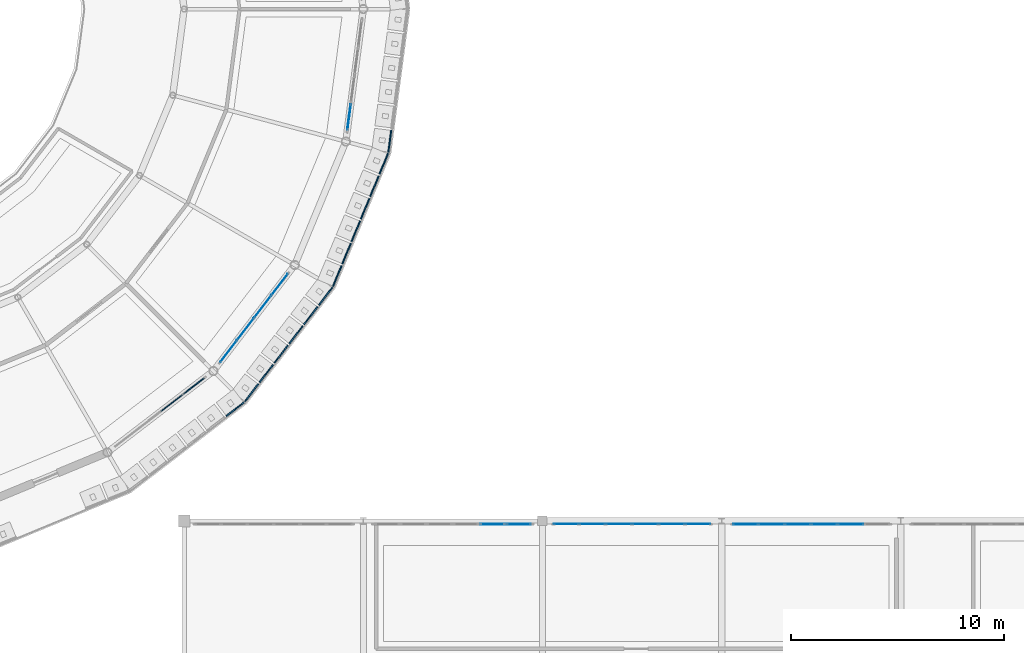
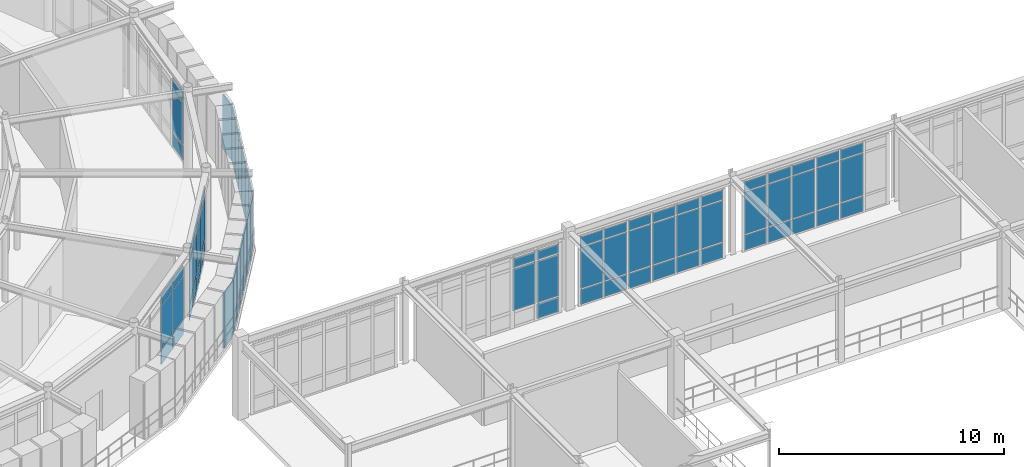
# One storey, part 70 of 106: 73 plates, 6 elements without a shape of their own.
"""IFC4 building model written with IfcOpenShell, lengths in metres."""

from ifc_helpers import new_model, si_unit, derived_unit, direction, frame, origin, origin_2d, place, context, subcontext, project, spatial, rectangle, extrude, material, layer, layer_set, type_object, element, aggregate, save


model = new_model("IFC4")

# Units and contexts
model_context = context("Model", 3, precision=1e-05, world=origin(), true_north=direction((0.0, 1.0)))
body_context = subcontext(model_context, "Body", "Model", "MODEL_VIEW")
ifc_project = project(units=[si_unit("LENGTHUNIT", "METRE"), si_unit("AREAUNIT", "SQUARE_METRE"), si_unit("VOLUMEUNIT", "CUBIC_METRE"), si_unit("PLANEANGLEUNIT", "RADIAN"), si_unit("MASSUNIT", "GRAM", prefix="KILO"), derived_unit("THERMALTRANSMITTANCEUNIT", [(si_unit("POWERUNIT", "WATT"), 1), (si_unit("AREAUNIT", "SQUARE_METRE"), -1), (si_unit("THERMODYNAMICTEMPERATUREUNIT", "KELVIN"), -1)])], contexts=[model_context])

# Site, building, storey
site_placement = place(None, origin())
site = spatial("IfcSite", under=ifc_project, at=site_placement, CompositionType="ELEMENT")
building_placement = place(site_placement, origin())
building = spatial("IfcBuilding", under=site, at=building_placement, Name="Yasenodar Specialist Clinic", CompositionType="ELEMENT")
storey_placement = place(building_placement, frame((0.0, 0.0, 4.5)))
storey = spatial("IfcBuildingStorey", under=building, at=storey_placement, Name="L01", CompositionType="ELEMENT", Elevation=4.5)

# Curtain wall, plates
ifc_material_1 = material(Name="Bronze Anodized Aluminium and Triple Low-E Glass", Category="aluminium")
ifc_layer_1 = layer(ifc_material_1, 0.1669921875)
ifc_layer_set_1 = layer_set([ifc_layer_1], Name="Bronze Anodized Aluminium and Triple Low-E Glass")
curtain_wall_type_1 = type_object("IfcCurtainWallType", Name="CW-SYS-01", PredefinedType="USERDEFINED", material=ifc_layer_set_1)
curtain_wall_1_placement = place(storey_placement, origin())
curtain_wall_1 = element("IfcCurtainWall", 1, at=curtain_wall_1_placement, inside=storey, type_object=curtain_wall_type_1, Name="L01 Unitised Curtain Wall 024", ObjectType="UNITISED CURTAIN WALL", PredefinedType="USERDEFINED")
ifc_material_2 = material(Name="Triple Low-E Argon Glazing", Category="glass")
ifc_layer_2 = layer(ifc_material_2, 0.028076171875)
ifc_layer_set_2 = layer_set([ifc_layer_2], Name="Triple Low-E Argon Glazing")
plate_type_1 = type_object("IfcPlateType", Name="CW-PAN-1", PredefinedType="CURTAIN_PANEL", material=ifc_layer_set_2)
plate_1_placement = place(storey_placement, frame((101.07958984375, 45.881103515625, 0.06005859375), z_axis=(0.0, 0.0, 1.0), x_axis=(-0.608752021844, -0.793360558574, 0.0)))
plate_1 = element("IfcPlate", 2, at=plate_1_placement, type_object=plate_type_1, Name="CW-01 panel 1.1", PredefinedType="CURTAIN_PANEL", context=body_context, shape_type="SweptSolid", body=[
    extrude(rectangle(XDim=1.236328125, YDim=0.028076171875, at=origin_2d()), origin(), (0.0, 0.0, 1.0), 0.81005859375),
])
plate_2_placement = place(storey_placement, frame((101.07958984375, 45.881103515625, 0.93017578125), z_axis=(0.0, 0.0, 1.0), x_axis=(-0.608752021844, -0.793360558574, 0.0)))
plate_2 = element("IfcPlate", 3, at=plate_2_placement, type_object=plate_type_1, Name="CW-01 panel 1.2", PredefinedType="CURTAIN_PANEL", context=body_context, shape_type="SweptSolid", body=[
    extrude(rectangle(XDim=1.236328125, YDim=0.028076171875, at=origin_2d()), origin(), (0.0, 0.0, 1.0), 2.278076171875),
])
plate_3_placement = place(storey_placement, frame((101.07958984375, 45.881103515625, 3.26806640625), z_axis=(0.0, 0.0, 1.0), x_axis=(-0.608752021844, -0.793360558574, 0.0)))
plate_3 = element("IfcPlate", 4, at=plate_3_placement, type_object=plate_type_1, Name="CW-01 panel 1.3", PredefinedType="CURTAIN_PANEL", context=body_context, shape_type="SweptSolid", body=[
    extrude(rectangle(XDim=1.236328125, YDim=0.028076171875, at=origin_2d()), origin(), (0.0, 0.0, 1.0), 0.510009765625),
])
plate_4_placement = place(storey_placement, frame((100.28125, 44.8408203125, 0.06005859375), z_axis=(0.0, 0.0, 1.0), x_axis=(-0.608752021844, -0.793360558574, 0.0)))
plate_4 = element("IfcPlate", 5, at=plate_4_placement, type_object=plate_type_1, Name="CW-01 panel 2.1", PredefinedType="CURTAIN_PANEL", context=body_context, shape_type="SweptSolid", body=[
    extrude(rectangle(XDim=1.266357421875, YDim=0.028076171875, at=origin_2d()), origin(), (0.0, 0.0, 1.0), 0.81005859375),
])
plate_5_placement = place(storey_placement, frame((100.28125, 44.8408203125, 0.93017578125), z_axis=(0.0, 0.0, 1.0), x_axis=(-0.608752021844, -0.793360558574, 0.0)))
plate_5 = element("IfcPlate", 6, at=plate_5_placement, type_object=plate_type_1, Name="CW-01 panel 2.2", PredefinedType="CURTAIN_PANEL", context=body_context, shape_type="SweptSolid", body=[
    extrude(rectangle(XDim=1.266357421875, YDim=0.028076171875, at=origin_2d()), origin(), (0.0, 0.0, 1.0), 2.278076171875),
])
plate_6_placement = place(storey_placement, frame((100.28125, 44.8408203125, 3.26806640625), z_axis=(0.0, 0.0, 1.0), x_axis=(-0.608752021844, -0.793360558574, 0.0)))
plate_6 = element("IfcPlate", 7, at=plate_6_placement, type_object=plate_type_1, Name="CW-01 panel 2.3", PredefinedType="CURTAIN_PANEL", context=body_context, shape_type="SweptSolid", body=[
    extrude(rectangle(XDim=1.266357421875, YDim=0.028076171875, at=origin_2d()), origin(), (0.0, 0.0, 1.0), 0.510009765625),
])
plate_7_placement = place(storey_placement, frame((99.473876953125, 43.78857421875, 0.06005859375), z_axis=(0.0, 0.0, 1.0), x_axis=(-0.608752021844, -0.793360558574, 0.0)))
plate_7 = element("IfcPlate", 8, at=plate_7_placement, type_object=plate_type_1, Name="CW-01 panel 3.1", PredefinedType="CURTAIN_PANEL", context=body_context, shape_type="SweptSolid", body=[
    extrude(rectangle(XDim=1.266357421875, YDim=0.028076171875, at=origin_2d()), origin(), (0.0, 0.0, 1.0), 0.81005859375),
])
plate_8_placement = place(storey_placement, frame((99.473876953125, 43.78857421875, 0.93017578125), z_axis=(0.0, 0.0, 1.0), x_axis=(-0.608752021844, -0.793360558574, 0.0)))
plate_8 = element("IfcPlate", 9, at=plate_8_placement, type_object=plate_type_1, Name="CW-01 panel 3.2", PredefinedType="CURTAIN_PANEL", context=body_context, shape_type="SweptSolid", body=[
    extrude(rectangle(XDim=1.266357421875, YDim=0.028076171875, at=origin_2d()), origin(), (0.0, 0.0, 1.0), 2.278076171875),
])
plate_9_placement = place(storey_placement, frame((99.473876953125, 43.78857421875, 3.26806640625), z_axis=(0.0, 0.0, 1.0), x_axis=(-0.608752021844, -0.793360558574, 0.0)))
plate_9 = element("IfcPlate", 10, at=plate_9_placement, type_object=plate_type_1, Name="CW-01 panel 3.3", PredefinedType="CURTAIN_PANEL", context=body_context, shape_type="SweptSolid", body=[
    extrude(rectangle(XDim=1.266357421875, YDim=0.028076171875, at=origin_2d()), origin(), (0.0, 0.0, 1.0), 0.510009765625),
])
plate_10_placement = place(storey_placement, frame((98.675537109375, 42.748291015625, 0.06005859375), z_axis=(0.0, 0.0, 1.0), x_axis=(-0.608752021844, -0.793360558574, 0.0)))
plate_10 = element("IfcPlate", 11, at=plate_10_placement, type_object=plate_type_1, Name="CW-01 panel 4.1", PredefinedType="CURTAIN_PANEL", context=body_context, shape_type="SweptSolid", body=[
    extrude(rectangle(XDim=1.236328125, YDim=0.028076171875, at=origin_2d()), origin(), (0.0, 0.0, 1.0), 0.81005859375),
])
plate_11_placement = place(storey_placement, frame((98.675537109375, 42.748291015625, 0.93017578125), z_axis=(0.0, 0.0, 1.0), x_axis=(-0.608752021844, -0.793360558574, 0.0)))
plate_11 = element("IfcPlate", 12, at=plate_11_placement, type_object=plate_type_1, Name="CW-01 panel 4.2", PredefinedType="CURTAIN_PANEL", context=body_context, shape_type="SweptSolid", body=[
    extrude(rectangle(XDim=1.236328125, YDim=0.028076171875, at=origin_2d()), origin(), (0.0, 0.0, 1.0), 2.278076171875),
])
plate_12_placement = place(storey_placement, frame((98.675537109375, 42.748291015625, 3.26806640625), z_axis=(0.0, 0.0, 1.0), x_axis=(-0.608752021844, -0.793360558574, 0.0)))
plate_12 = element("IfcPlate", 13, at=plate_12_placement, type_object=plate_type_1, Name="CW-01 panel 4.3", PredefinedType="CURTAIN_PANEL", context=body_context, shape_type="SweptSolid", body=[
    extrude(rectangle(XDim=1.236328125, YDim=0.028076171875, at=origin_2d()), origin(), (0.0, 0.0, 1.0), 0.510009765625),
])
aggregate(curtain_wall_1, [plate_1, plate_2, plate_3, plate_4, plate_5, plate_6, plate_7, plate_8, plate_9, plate_10, plate_11, plate_12])

ifc_layer_3 = layer(ifc_material_1, 0.178955078125)
ifc_layer_set_3 = layer_set([ifc_layer_3], Name="Bronze Anodized Aluminium and Triple Low-E Glass")
curtain_wall_type_2 = type_object("IfcCurtainWallType", Name="CW-SYS-02", PredefinedType="USERDEFINED", material=ifc_layer_set_3)
curtain_wall_2_placement = place(storey_placement, origin())
curtain_wall_2 = element("IfcCurtainWall", 14, at=curtain_wall_2_placement, inside=storey, type_object=curtain_wall_type_2, Name="L01 Unitised Curtain Wall 096", ObjectType="UNITISED CURTAIN WALL", PredefinedType="USERDEFINED")
plate_13_placement = place(storey_placement, frame((114.514892578125, 34.64990234375, 0.06005859375), z_axis=(0.0, 0.0, 1.0), x_axis=(1.0, 0.0, 0.0)))
plate_13 = element("IfcPlate", 15, at=plate_13_placement, type_object=plate_type_1, Name="CW-02 panel 1.1", PredefinedType="CURTAIN_PANEL", context=body_context, shape_type="SweptSolid", body=[
    extrude(rectangle(XDim=1.14990234375, YDim=0.028076171875, at=origin_2d()), origin(), (0.0, 0.0, 1.0), 0.81005859375),
])
plate_14_placement = place(storey_placement, frame((114.514892578125, 34.64990234375, 0.929931640625), z_axis=(0.0, 0.0, 1.0), x_axis=(1.0, 0.0, 0.0)))
plate_14 = element("IfcPlate", 16, at=plate_14_placement, type_object=plate_type_1, Name="CW-02 panel 1.2", PredefinedType="CURTAIN_PANEL", context=body_context, shape_type="SweptSolid", body=[
    extrude(rectangle(XDim=1.14990234375, YDim=0.028076171875, at=origin_2d()), origin(), (0.0, 0.0, 1.0), 2.22802734375),
])
plate_15_placement = place(storey_placement, frame((114.514892578125, 34.64990234375, 3.2177734375), z_axis=(0.0, 0.0, 1.0), x_axis=(1.0, 0.0, 0.0)))
plate_15 = element("IfcPlate", 17, at=plate_15_placement, type_object=plate_type_1, Name="CW-02 panel 1.3", PredefinedType="CURTAIN_PANEL", context=body_context, shape_type="SweptSolid", body=[
    extrude(rectangle(XDim=1.14990234375, YDim=0.028076171875, at=origin_2d()), origin(), (0.0, 0.0, 1.0), 0.510009765625),
])
plate_16_placement = place(storey_placement, frame((115.739990234375, 34.64990234375, 0.06005859375), z_axis=(0.0, 0.0, 1.0), x_axis=(1.0, 0.0, 0.0)))
plate_16 = element("IfcPlate", 18, at=plate_16_placement, type_object=plate_type_1, Name="CW-02 panel 2.1", PredefinedType="CURTAIN_PANEL", context=body_context, shape_type="SweptSolid", body=[
    extrude(rectangle(XDim=1.179931640625, YDim=0.028076171875, at=origin_2d()), origin(), (0.0, 0.0, 1.0), 0.81005859375),
])
plate_17_placement = place(storey_placement, frame((115.739990234375, 34.64990234375, 0.929931640625), z_axis=(0.0, 0.0, 1.0), x_axis=(1.0, 0.0, 0.0)))
plate_17 = element("IfcPlate", 19, at=plate_17_placement, type_object=plate_type_1, Name="CW-02 panel 2.2", PredefinedType="CURTAIN_PANEL", context=body_context, shape_type="SweptSolid", body=[
    extrude(rectangle(XDim=1.179931640625, YDim=0.028076171875, at=origin_2d()), origin(), (0.0, 0.0, 1.0), 2.22802734375),
])
plate_18_placement = place(storey_placement, frame((115.739990234375, 34.64990234375, 3.2177734375), z_axis=(0.0, 0.0, 1.0), x_axis=(1.0, 0.0, 0.0)))
plate_18 = element("IfcPlate", 20, at=plate_18_placement, type_object=plate_type_1, Name="CW-02 panel 2.3", PredefinedType="CURTAIN_PANEL", context=body_context, shape_type="SweptSolid", body=[
    extrude(rectangle(XDim=1.179931640625, YDim=0.028076171875, at=origin_2d()), origin(), (0.0, 0.0, 1.0), 0.510009765625),
])
plate_19_placement = place(storey_placement, frame((116.97998046875, 34.64990234375, 0.06005859375), z_axis=(0.0, 0.0, 1.0), x_axis=(1.0, 0.0, 0.0)))
plate_19 = element("IfcPlate", 21, at=plate_19_placement, type_object=plate_type_1, Name="CW-02 panel 3.1", PredefinedType="CURTAIN_PANEL", context=body_context, shape_type="SweptSolid", body=[
    extrude(rectangle(XDim=1.179931640625, YDim=0.028076171875, at=origin_2d()), origin(), (0.0, 0.0, 1.0), 0.81005859375),
])
plate_20_placement = place(storey_placement, frame((116.97998046875, 34.64990234375, 0.929931640625), z_axis=(0.0, 0.0, 1.0), x_axis=(1.0, 0.0, 0.0)))
plate_20 = element("IfcPlate", 22, at=plate_20_placement, type_object=plate_type_1, Name="CW-02 panel 3.2", PredefinedType="CURTAIN_PANEL", context=body_context, shape_type="SweptSolid", body=[
    extrude(rectangle(XDim=1.179931640625, YDim=0.028076171875, at=origin_2d()), origin(), (0.0, 0.0, 1.0), 2.22802734375),
])
plate_21_placement = place(storey_placement, frame((116.97998046875, 34.64990234375, 3.2177734375), z_axis=(0.0, 0.0, 1.0), x_axis=(1.0, 0.0, 0.0)))
plate_21 = element("IfcPlate", 23, at=plate_21_placement, type_object=plate_type_1, Name="CW-02 panel 3.3", PredefinedType="CURTAIN_PANEL", context=body_context, shape_type="SweptSolid", body=[
    extrude(rectangle(XDim=1.179931640625, YDim=0.028076171875, at=origin_2d()), origin(), (0.0, 0.0, 1.0), 0.510009765625),
])
plate_22_placement = place(storey_placement, frame((118.219970703125, 34.64990234375, 0.06005859375), z_axis=(0.0, 0.0, 1.0), x_axis=(1.0, 0.0, 0.0)))
plate_22 = element("IfcPlate", 24, at=plate_22_placement, type_object=plate_type_1, Name="CW-02 panel 4.1", PredefinedType="CURTAIN_PANEL", context=body_context, shape_type="SweptSolid", body=[
    extrude(rectangle(XDim=1.179931640625, YDim=0.028076171875, at=origin_2d()), origin(), (0.0, 0.0, 1.0), 0.81005859375),
])
plate_23_placement = place(storey_placement, frame((118.219970703125, 34.64990234375, 0.929931640625), z_axis=(0.0, 0.0, 1.0), x_axis=(1.0, 0.0, 0.0)))
plate_23 = element("IfcPlate", 25, at=plate_23_placement, type_object=plate_type_1, Name="CW-02 panel 4.2", PredefinedType="CURTAIN_PANEL", context=body_context, shape_type="SweptSolid", body=[
    extrude(rectangle(XDim=1.179931640625, YDim=0.028076171875, at=origin_2d()), origin(), (0.0, 0.0, 1.0), 2.22802734375),
])
plate_24_placement = place(storey_placement, frame((118.219970703125, 34.64990234375, 3.2177734375), z_axis=(0.0, 0.0, 1.0), x_axis=(1.0, 0.0, 0.0)))
plate_24 = element("IfcPlate", 26, at=plate_24_placement, type_object=plate_type_1, Name="CW-02 panel 4.3", PredefinedType="CURTAIN_PANEL", context=body_context, shape_type="SweptSolid", body=[
    extrude(rectangle(XDim=1.179931640625, YDim=0.028076171875, at=origin_2d()), origin(), (0.0, 0.0, 1.0), 0.510009765625),
])
plate_25_placement = place(storey_placement, frame((119.4599609375, 34.64990234375, 0.06005859375), z_axis=(0.0, 0.0, 1.0), x_axis=(1.0, 0.0, 0.0)))
plate_25 = element("IfcPlate", 27, at=plate_25_placement, type_object=plate_type_1, Name="CW-02 panel 5.1", PredefinedType="CURTAIN_PANEL", context=body_context, shape_type="SweptSolid", body=[
    extrude(rectangle(XDim=1.179931640625, YDim=0.028076171875, at=origin_2d()), origin(), (0.0, 0.0, 1.0), 0.81005859375),
])
plate_26_placement = place(storey_placement, frame((119.4599609375, 34.64990234375, 0.929931640625), z_axis=(0.0, 0.0, 1.0), x_axis=(1.0, 0.0, 0.0)))
plate_26 = element("IfcPlate", 28, at=plate_26_placement, type_object=plate_type_1, Name="CW-02 panel 5.2", PredefinedType="CURTAIN_PANEL", context=body_context, shape_type="SweptSolid", body=[
    extrude(rectangle(XDim=1.179931640625, YDim=0.028076171875, at=origin_2d()), origin(), (0.0, 0.0, 1.0), 2.22802734375),
])
plate_27_placement = place(storey_placement, frame((119.4599609375, 34.64990234375, 3.2177734375), z_axis=(0.0, 0.0, 1.0), x_axis=(1.0, 0.0, 0.0)))
plate_27 = element("IfcPlate", 29, at=plate_27_placement, type_object=plate_type_1, Name="CW-02 panel 5.3", PredefinedType="CURTAIN_PANEL", context=body_context, shape_type="SweptSolid", body=[
    extrude(rectangle(XDim=1.179931640625, YDim=0.028076171875, at=origin_2d()), origin(), (0.0, 0.0, 1.0), 0.510009765625),
])
plate_28_placement = place(storey_placement, frame((120.68505859375, 34.64990234375, 0.06005859375), z_axis=(0.0, 0.0, 1.0), x_axis=(1.0, 0.0, 0.0)))
plate_28 = element("IfcPlate", 30, at=plate_28_placement, type_object=plate_type_1, Name="CW-02 panel 6.1", PredefinedType="CURTAIN_PANEL", context=body_context, shape_type="SweptSolid", body=[
    extrude(rectangle(XDim=1.14990234375, YDim=0.028076171875, at=origin_2d()), origin(), (0.0, 0.0, 1.0), 0.81005859375),
])
plate_29_placement = place(storey_placement, frame((120.68505859375, 34.64990234375, 0.929931640625), z_axis=(0.0, 0.0, 1.0), x_axis=(1.0, 0.0, 0.0)))
plate_29 = element("IfcPlate", 31, at=plate_29_placement, type_object=plate_type_1, Name="CW-02 panel 6.2", PredefinedType="CURTAIN_PANEL", context=body_context, shape_type="SweptSolid", body=[
    extrude(rectangle(XDim=1.14990234375, YDim=0.028076171875, at=origin_2d()), origin(), (0.0, 0.0, 1.0), 2.22802734375),
])
plate_30_placement = place(storey_placement, frame((120.68505859375, 34.64990234375, 3.2177734375), z_axis=(0.0, 0.0, 1.0), x_axis=(1.0, 0.0, 0.0)))
plate_30 = element("IfcPlate", 32, at=plate_30_placement, type_object=plate_type_1, Name="CW-02 panel 6.3", PredefinedType="CURTAIN_PANEL", context=body_context, shape_type="SweptSolid", body=[
    extrude(rectangle(XDim=1.14990234375, YDim=0.028076171875, at=origin_2d()), origin(), (0.0, 0.0, 1.0), 0.510009765625),
])
aggregate(curtain_wall_2, [plate_13, plate_14, plate_15, plate_16, plate_17, plate_18, plate_19, plate_20, plate_21, plate_22, plate_23, plate_24, plate_25, plate_26, plate_27, plate_28, plate_29, plate_30])

curtain_wall_3_placement = place(storey_placement, origin())
curtain_wall_3 = element("IfcCurtainWall", 33, at=curtain_wall_3_placement, inside=storey, type_object=curtain_wall_type_1, Name="L01 Unitised Curtain Wall 025", ObjectType="UNITISED CURTAIN WALL", PredefinedType="USERDEFINED")
ifc_layer_4 = layer(ifc_material_2, 0.033935546875)
ifc_layer_set_4 = layer_set([ifc_layer_4], Name="Triple Low-E Argon Glazing")
plate_type_2 = type_object("IfcPlateType", Name="CW-PAN-2", PredefinedType="CURTAIN_PANEL", material=ifc_layer_set_4)
plate_31_placement = place(storey_placement, frame((104.333984375, 53.740234375, 0.074951171875), z_axis=(0.0, 0.0, 1.0), x_axis=(-0.13051156024, -0.991446787601, 0.0)))
plate_31 = element("IfcPlate", 34, at=plate_31_placement, type_object=plate_type_2, Name="CW-01 panel 4.1", PredefinedType="CURTAIN_PANEL", context=body_context, shape_type="SweptSolid", body=[
    extrude(rectangle(XDim=1.2138671875, YDim=0.033935546875, at=origin_2d()), origin(), (0.0, 0.0, 1.0), 0.78759765625),
])
plate_32_placement = place(storey_placement, frame((104.333984375, 53.740234375, 0.9375), z_axis=(0.0, 0.0, 1.0), x_axis=(-0.13051156024, -0.991446787601, 0.0)))
plate_32 = element("IfcPlate", 35, at=plate_32_placement, type_object=plate_type_2, Name="CW-01 panel 4.2", PredefinedType="CURTAIN_PANEL", context=body_context, shape_type="SweptSolid", body=[
    extrude(rectangle(XDim=1.2138671875, YDim=0.033935546875, at=origin_2d()), origin(), (0.0, 0.0, 1.0), 2.262939453125),
])
plate_33_placement = place(storey_placement, frame((104.333984375, 53.740234375, 3.275390625), z_axis=(0.0, 0.0, 1.0), x_axis=(-0.13051156024, -0.991446787601, 0.0)))
plate_33 = element("IfcPlate", 36, at=plate_33_placement, type_object=plate_type_2, Name="CW-01 panel 4.3", PredefinedType="CURTAIN_PANEL", context=body_context, shape_type="SweptSolid", body=[
    extrude(rectangle(XDim=1.2138671875, YDim=0.033935546875, at=origin_2d()), origin(), (0.0, 0.0, 1.0), 0.487548828125),
])
aggregate(curtain_wall_3, [plate_31, plate_32, plate_33])

curtain_wall_4_placement = place(storey_placement, origin())
curtain_wall_4 = element("IfcCurtainWall", 37, at=curtain_wall_4_placement, inside=storey, type_object=curtain_wall_type_2, Name="L01 Unitised Curtain Wall 097", ObjectType="UNITISED CURTAIN WALL", PredefinedType="USERDEFINED")
plate_34_placement = place(storey_placement, frame((122.9150390625, 34.64990234375, 0.06005859375), z_axis=(0.0, 0.0, 1.0), x_axis=(1.0, 0.0, 0.0)))
plate_34 = element("IfcPlate", 38, at=plate_34_placement, type_object=plate_type_2, Name="CW-02 panel 1.1", PredefinedType="CURTAIN_PANEL", context=body_context, shape_type="SweptSolid", body=[
    extrude(rectangle(XDim=1.14990234375, YDim=0.033935546875, at=origin_2d()), origin(), (0.0, 0.0, 1.0), 0.81005859375),
])
plate_35_placement = place(storey_placement, frame((122.9150390625, 34.64990234375, 0.93017578125), z_axis=(0.0, 0.0, 1.0), x_axis=(1.0, 0.0, 0.0)))
plate_35 = element("IfcPlate", 39, at=plate_35_placement, type_object=plate_type_2, Name="CW-02 panel 1.2", PredefinedType="CURTAIN_PANEL", context=body_context, shape_type="SweptSolid", body=[
    extrude(rectangle(XDim=1.14990234375, YDim=0.033935546875, at=origin_2d()), origin(), (0.0, 0.0, 1.0), 2.278076171875),
])
plate_36_placement = place(storey_placement, frame((122.9150390625, 34.64990234375, 3.26806640625), z_axis=(0.0, 0.0, 1.0), x_axis=(1.0, 0.0, 0.0)))
plate_36 = element("IfcPlate", 40, at=plate_36_placement, type_object=plate_type_2, Name="CW-02 panel 1.3", PredefinedType="CURTAIN_PANEL", context=body_context, shape_type="SweptSolid", body=[
    extrude(rectangle(XDim=1.14990234375, YDim=0.033935546875, at=origin_2d()), origin(), (0.0, 0.0, 1.0), 0.510009765625),
])
plate_37_placement = place(storey_placement, frame((124.139892578125, 34.64990234375, 0.06005859375), z_axis=(0.0, 0.0, 1.0), x_axis=(1.0, 0.0, 0.0)))
plate_37 = element("IfcPlate", 41, at=plate_37_placement, type_object=plate_type_2, Name="CW-02 panel 2.1", PredefinedType="CURTAIN_PANEL", context=body_context, shape_type="SweptSolid", body=[
    extrude(rectangle(XDim=1.179931640625, YDim=0.033935546875, at=origin_2d()), origin(), (0.0, 0.0, 1.0), 0.81005859375),
])
plate_38_placement = place(storey_placement, frame((124.139892578125, 34.64990234375, 0.93017578125), z_axis=(0.0, 0.0, 1.0), x_axis=(1.0, 0.0, 0.0)))
plate_38 = element("IfcPlate", 42, at=plate_38_placement, type_object=plate_type_2, Name="CW-02 panel 2.2", PredefinedType="CURTAIN_PANEL", context=body_context, shape_type="SweptSolid", body=[
    extrude(rectangle(XDim=1.179931640625, YDim=0.033935546875, at=origin_2d()), origin(), (0.0, 0.0, 1.0), 2.278076171875),
])
plate_39_placement = place(storey_placement, frame((124.139892578125, 34.64990234375, 3.26806640625), z_axis=(0.0, 0.0, 1.0), x_axis=(1.0, 0.0, 0.0)))
plate_39 = element("IfcPlate", 43, at=plate_39_placement, type_object=plate_type_2, Name="CW-02 panel 2.3", PredefinedType="CURTAIN_PANEL", context=body_context, shape_type="SweptSolid", body=[
    extrude(rectangle(XDim=1.179931640625, YDim=0.033935546875, at=origin_2d()), origin(), (0.0, 0.0, 1.0), 0.510009765625),
])
plate_40_placement = place(storey_placement, frame((125.3798828125, 34.64990234375, 0.06005859375), z_axis=(0.0, 0.0, 1.0), x_axis=(1.0, 0.0, 0.0)))
plate_40 = element("IfcPlate", 44, at=plate_40_placement, type_object=plate_type_2, Name="CW-02 panel 3.1", PredefinedType="CURTAIN_PANEL", context=body_context, shape_type="SweptSolid", body=[
    extrude(rectangle(XDim=1.179931640625, YDim=0.033935546875, at=origin_2d()), origin(), (0.0, 0.0, 1.0), 0.81005859375),
])
plate_41_placement = place(storey_placement, frame((125.3798828125, 34.64990234375, 0.93017578125), z_axis=(0.0, 0.0, 1.0), x_axis=(1.0, 0.0, 0.0)))
plate_41 = element("IfcPlate", 45, at=plate_41_placement, type_object=plate_type_2, Name="CW-02 panel 3.2", PredefinedType="CURTAIN_PANEL", context=body_context, shape_type="SweptSolid", body=[
    extrude(rectangle(XDim=1.179931640625, YDim=0.033935546875, at=origin_2d()), origin(), (0.0, 0.0, 1.0), 2.278076171875),
])
plate_42_placement = place(storey_placement, frame((125.3798828125, 34.64990234375, 3.26806640625), z_axis=(0.0, 0.0, 1.0), x_axis=(1.0, 0.0, 0.0)))
plate_42 = element("IfcPlate", 46, at=plate_42_placement, type_object=plate_type_2, Name="CW-02 panel 3.3", PredefinedType="CURTAIN_PANEL", context=body_context, shape_type="SweptSolid", body=[
    extrude(rectangle(XDim=1.179931640625, YDim=0.033935546875, at=origin_2d()), origin(), (0.0, 0.0, 1.0), 0.510009765625),
])
plate_43_placement = place(storey_placement, frame((126.6201171875, 34.64990234375, 0.06005859375), z_axis=(0.0, 0.0, 1.0), x_axis=(1.0, 0.0, 0.0)))
plate_43 = element("IfcPlate", 47, at=plate_43_placement, type_object=plate_type_2, Name="CW-02 panel 4.1", PredefinedType="CURTAIN_PANEL", context=body_context, shape_type="SweptSolid", body=[
    extrude(rectangle(XDim=1.179931640625, YDim=0.033935546875, at=origin_2d()), origin(), (0.0, 0.0, 1.0), 0.81005859375),
])
plate_44_placement = place(storey_placement, frame((126.6201171875, 34.64990234375, 0.93017578125), z_axis=(0.0, 0.0, 1.0), x_axis=(1.0, 0.0, 0.0)))
plate_44 = element("IfcPlate", 48, at=plate_44_placement, type_object=plate_type_2, Name="CW-02 panel 4.2", PredefinedType="CURTAIN_PANEL", context=body_context, shape_type="SweptSolid", body=[
    extrude(rectangle(XDim=1.179931640625, YDim=0.033935546875, at=origin_2d()), origin(), (0.0, 0.0, 1.0), 2.278076171875),
])
plate_45_placement = place(storey_placement, frame((126.6201171875, 34.64990234375, 3.26806640625), z_axis=(0.0, 0.0, 1.0), x_axis=(1.0, 0.0, 0.0)))
plate_45 = element("IfcPlate", 49, at=plate_45_placement, type_object=plate_type_2, Name="CW-02 panel 4.3", PredefinedType="CURTAIN_PANEL", context=body_context, shape_type="SweptSolid", body=[
    extrude(rectangle(XDim=1.179931640625, YDim=0.033935546875, at=origin_2d()), origin(), (0.0, 0.0, 1.0), 0.510009765625),
])
plate_46_placement = place(storey_placement, frame((127.860107421875, 34.64990234375, 0.06005859375), z_axis=(0.0, 0.0, 1.0), x_axis=(1.0, 0.0, 0.0)))
plate_46 = element("IfcPlate", 50, at=plate_46_placement, type_object=plate_type_2, Name="CW-02 panel 5.1", PredefinedType="CURTAIN_PANEL", context=body_context, shape_type="SweptSolid", body=[
    extrude(rectangle(XDim=1.179931640625, YDim=0.033935546875, at=origin_2d()), origin(), (0.0, 0.0, 1.0), 0.81005859375),
])
plate_47_placement = place(storey_placement, frame((127.860107421875, 34.64990234375, 0.93017578125), z_axis=(0.0, 0.0, 1.0), x_axis=(1.0, 0.0, 0.0)))
plate_47 = element("IfcPlate", 51, at=plate_47_placement, type_object=plate_type_2, Name="CW-02 panel 5.2", PredefinedType="CURTAIN_PANEL", context=body_context, shape_type="SweptSolid", body=[
    extrude(rectangle(XDim=1.179931640625, YDim=0.033935546875, at=origin_2d()), origin(), (0.0, 0.0, 1.0), 2.278076171875),
])
plate_48_placement = place(storey_placement, frame((127.860107421875, 34.64990234375, 3.26806640625), z_axis=(0.0, 0.0, 1.0), x_axis=(1.0, 0.0, 0.0)))
plate_48 = element("IfcPlate", 52, at=plate_48_placement, type_object=plate_type_2, Name="CW-02 panel 5.3", PredefinedType="CURTAIN_PANEL", context=body_context, shape_type="SweptSolid", body=[
    extrude(rectangle(XDim=1.179931640625, YDim=0.033935546875, at=origin_2d()), origin(), (0.0, 0.0, 1.0), 0.510009765625),
])
aggregate(curtain_wall_4, [plate_34, plate_35, plate_36, plate_37, plate_38, plate_39, plate_40, plate_41, plate_42, plate_43, plate_44, plate_45, plate_46, plate_47, plate_48])

curtain_wall_5_placement = place(storey_placement, origin())
curtain_wall_5 = element("IfcCurtainWall", 53, at=curtain_wall_5_placement, inside=storey, type_object=curtain_wall_type_1, Name="L01 Unitised Curtain Wall 023", ObjectType="UNITISED CURTAIN WALL", PredefinedType="USERDEFINED")
ifc_layer_5 = layer(ifc_material_2, 0.0458984375)
ifc_layer_set_5 = layer_set([ifc_layer_5], Name="Triple Low-E Argon Glazing")
plate_type_3 = type_object("IfcPlateType", Name="CW-PAN-4", PredefinedType="CURTAIN_PANEL", material=ifc_layer_set_5)
plate_49_placement = place(storey_placement, frame((97.0517578125, 41.124267578125, 0.06005859375), z_axis=(0.0, 0.0, 1.0), x_axis=(-0.793360558574, -0.608752021844, 0.0)))
plate_49 = element("IfcPlate", 54, at=plate_49_placement, type_object=plate_type_3, Name="CW-01 panel 1.1", PredefinedType="CURTAIN_PANEL", context=body_context, shape_type="SweptSolid", body=[
    extrude(rectangle(XDim=1.236328125, YDim=0.0458984375, at=origin_2d()), origin(), (0.0, 0.0, 1.0), 0.81005859375),
])
plate_50_placement = place(storey_placement, frame((97.0517578125, 41.124267578125, 0.93017578125), z_axis=(0.0, 0.0, 1.0), x_axis=(-0.793360558574, -0.608752021844, 0.0)))
plate_50 = element("IfcPlate", 55, at=plate_50_placement, type_object=plate_type_3, Name="CW-01 panel 1.2", PredefinedType="CURTAIN_PANEL", context=body_context, shape_type="SweptSolid", body=[
    extrude(rectangle(XDim=1.236328125, YDim=0.0458984375, at=origin_2d()), origin(), (0.0, 0.0, 1.0), 2.278076171875),
])
plate_51_placement = place(storey_placement, frame((97.0517578125, 41.124267578125, 3.26806640625), z_axis=(0.0, 0.0, 1.0), x_axis=(-0.793360558574, -0.608752021844, 0.0)))
plate_51 = element("IfcPlate", 56, at=plate_51_placement, type_object=plate_type_3, Name="CW-01 panel 1.3", PredefinedType="CURTAIN_PANEL", context=body_context, shape_type="SweptSolid", body=[
    extrude(rectangle(XDim=1.236328125, YDim=0.0458984375, at=origin_2d()), origin(), (0.0, 0.0, 1.0), 0.510009765625),
])
plate_52_placement = place(storey_placement, frame((96.011474609375, 40.326171875, 0.06005859375), z_axis=(0.0, 0.0, 1.0), x_axis=(-0.793360558574, -0.608752021844, 0.0)))
plate_52 = element("IfcPlate", 57, at=plate_52_placement, type_object=plate_type_3, Name="CW-01 panel 2.1", PredefinedType="CURTAIN_PANEL", context=body_context, shape_type="SweptSolid", body=[
    extrude(rectangle(XDim=1.266357421875, YDim=0.0458984375, at=origin_2d()), origin(), (0.0, 0.0, 1.0), 0.81005859375),
])
plate_53_placement = place(storey_placement, frame((96.011474609375, 40.326171875, 0.93017578125), z_axis=(0.0, 0.0, 1.0), x_axis=(-0.793360558574, -0.608752021844, 0.0)))
plate_53 = element("IfcPlate", 58, at=plate_53_placement, type_object=plate_type_3, Name="CW-01 panel 2.2", PredefinedType="CURTAIN_PANEL", context=body_context, shape_type="SweptSolid", body=[
    extrude(rectangle(XDim=1.266357421875, YDim=0.0458984375, at=origin_2d()), origin(), (0.0, 0.0, 1.0), 2.278076171875),
])
plate_54_placement = place(storey_placement, frame((96.011474609375, 40.326171875, 3.26806640625), z_axis=(0.0, 0.0, 1.0), x_axis=(-0.793360558574, -0.608752021844, 0.0)))
plate_54 = element("IfcPlate", 59, at=plate_54_placement, type_object=plate_type_3, Name="CW-01 panel 2.3", PredefinedType="CURTAIN_PANEL", context=body_context, shape_type="SweptSolid", body=[
    extrude(rectangle(XDim=1.266357421875, YDim=0.0458984375, at=origin_2d()), origin(), (0.0, 0.0, 1.0), 0.510009765625),
])
aggregate(curtain_wall_5, [plate_49, plate_50, plate_51, plate_52, plate_53, plate_54])

curtain_wall_6_placement = place(storey_placement, origin())
curtain_wall_6 = element("IfcCurtainWall", 60, at=curtain_wall_6_placement, inside=storey, type_object=curtain_wall_type_2, Name="L01 Unitised Curtain Wall 095", ObjectType="UNITISED CURTAIN WALL", PredefinedType="USERDEFINED")
plate_55_placement = place(storey_placement, frame((111.06005859375, 34.64990234375, 0.9375), z_axis=(0.0, 0.0, 1.0), x_axis=(1.0, 0.0, 0.0)))
plate_55 = element("IfcPlate", 61, at=plate_55_placement, type_object=plate_type_3, Name="CW-02 panel 5.2", PredefinedType="CURTAIN_PANEL", context=body_context, shape_type="SweptSolid", body=[
    extrude(rectangle(XDim=1.1650390625, YDim=0.0458984375, at=origin_2d()), origin(), (0.0, 0.0, 1.0), 2.2529296875),
])
plate_56_placement = place(storey_placement, frame((111.06005859375, 34.64990234375, 3.265625), z_axis=(0.0, 0.0, 1.0), x_axis=(1.0, 0.0, 0.0)))
plate_56 = element("IfcPlate", 62, at=plate_56_placement, type_object=plate_type_3, Name="CW-02 panel 5.3", PredefinedType="CURTAIN_PANEL", context=body_context, shape_type="SweptSolid", body=[
    extrude(rectangle(XDim=1.1650390625, YDim=0.0458984375, at=origin_2d()), origin(), (0.0, 0.0, 1.0), 0.487548828125),
])
plate_57_placement = place(storey_placement, frame((112.28125, 34.64990234375, 0.074951171875), z_axis=(0.0, 0.0, 1.0), x_axis=(1.0, 0.0, 0.0)))
plate_57 = element("IfcPlate", 63, at=plate_57_placement, type_object=plate_type_3, Name="CW-02 panel 6.1", PredefinedType="CURTAIN_PANEL", context=body_context, shape_type="SweptSolid", body=[
    extrude(rectangle(XDim=1.12744140625, YDim=0.0458984375, at=origin_2d()), origin(), (0.0, 0.0, 1.0), 0.78759765625),
])
plate_58_placement = place(storey_placement, frame((112.28125, 34.64990234375, 0.9375), z_axis=(0.0, 0.0, 1.0), x_axis=(1.0, 0.0, 0.0)))
plate_58 = element("IfcPlate", 64, at=plate_58_placement, type_object=plate_type_3, Name="CW-02 panel 6.2", PredefinedType="CURTAIN_PANEL", context=body_context, shape_type="SweptSolid", body=[
    extrude(rectangle(XDim=1.12744140625, YDim=0.0458984375, at=origin_2d()), origin(), (0.0, 0.0, 1.0), 2.2529296875),
])
plate_59_placement = place(storey_placement, frame((112.28125, 34.64990234375, 3.265625), z_axis=(0.0, 0.0, 1.0), x_axis=(1.0, 0.0, 0.0)))
plate_59 = element("IfcPlate", 65, at=plate_59_placement, type_object=plate_type_3, Name="CW-02 panel 6.3", PredefinedType="CURTAIN_PANEL", context=body_context, shape_type="SweptSolid", body=[
    extrude(rectangle(XDim=1.12744140625, YDim=0.0458984375, at=origin_2d()), origin(), (0.0, 0.0, 1.0), 0.487548828125),
])
aggregate(curtain_wall_6, [plate_55, plate_56, plate_57, plate_58, plate_59])

# Plates
ifc_material_3 = material(Name="Thermally Modified Larch and Bronze Girih Jali Screen")
ifc_layer_6 = layer(ifc_material_3, 0.06494140625)
ifc_layer_set_6 = layer_set([ifc_layer_6], Name="Thermally Modified Larch and Bronze Girih Jali Screen")
plate_type_4 = type_object("IfcPlateType", Name="PL-JALI-850", PredefinedType="USERDEFINED", material=ifc_layer_set_6)
for number, where, z_axis, x_axis, name in (
    (66, (98.98876953125, 40.037841796875, 0.0048828125), (0.0, 0.0, 1.0), (0.793351200869, 0.608764217148, 0.0), "L01 Sliding Timber-Bronze Jali Shutter Screen 0090"),
    (67, (99.76220703125, 40.811279296875, 0.0048828125), (0.0, 0.0, 1.0), (0.608764217148, 0.793351200869, 0.0), "L01 Sliding Timber-Bronze Jali Shutter Screen 0091"),
    (68, (100.4560546875, 41.715576171875, 0.0048828125), (0.0, 0.0, 1.0), (0.608764217148, 0.793351200869, 0.0), "L01 Sliding Timber-Bronze Jali Shutter Screen 0092"),
    (69, (101.14990234375, 42.619873046875, 0.0048828125), (0.0, 0.0, 1.0), (0.608764217148, 0.793351200869, 0.0), "L01 Sliding Timber-Bronze Jali Shutter Screen 0093"),
    (70, (101.843994140625, 43.5244140625, 0.0048828125), (0.0, 0.0, 1.0), (0.608764217148, 0.793351200869, 0.0), "L01 Sliding Timber-Bronze Jali Shutter Screen 0094"),
    (71, (102.537841796875, 44.4287109375, 0.0048828125), (0.0, 0.0, 1.0), (0.608764217148, 0.793351200869, 0.0), "L01 Sliding Timber-Bronze Jali Shutter Screen 0095"),
    (72, (103.23193359375, 45.3330078125, 0.0048828125), (0.0, 0.0, 1.0), (0.608764217148, 0.793351200869, 0.0), "L01 Sliding Timber-Bronze Jali Shutter Screen 0096"),
    (73, (103.77880859375, 46.2802734375, 0.0048828125), (0.0, 0.0, 1.0), (0.382686667195, 0.923878192594, 0.0), "L01 Sliding Timber-Bronze Jali Shutter Screen 0097"),
    (74, (104.21484375, 47.333251953125, 0.0048828125), (0.0, 0.0, 1.0), (0.382686667195, 0.923878192594, 0.0), "L01 Sliding Timber-Bronze Jali Shutter Screen 0098"),
    (75, (104.651123046875, 48.386474609375, 0.0048828125), (0.0, 0.0, 1.0), (0.382686667195, 0.923878192594, 0.0), "L01 Sliding Timber-Bronze Jali Shutter Screen 0099"),
    (76, (105.08740234375, 49.439697265625, 0.0048828125), (0.0, 0.0, 1.0), (0.382686667195, 0.923878192594, 0.0), "L01 Sliding Timber-Bronze Jali Shutter Screen 0100"),
    (77, (105.523681640625, 50.492919921875, 0.0048828125), (0.0, 0.0, 1.0), (0.382686667195, 0.923878192594, 0.0), "L01 Sliding Timber-Bronze Jali Shutter Screen 0101"),
    (78, (105.959716796875, 51.5458984375, 0.0048828125), (0.0, 0.0, 1.0), (0.382686667195, 0.923878192594, 0.0), "L01 Sliding Timber-Bronze Jali Shutter Screen 0102"),
    (79, (106.242919921875, 52.602294921875, 0.0048828125), (0.0, 0.0, 1.0), (0.130519185854, 0.991445783754, 0.0), "L01 Sliding Timber-Bronze Jali Shutter Screen 0103"),
):
    element("IfcPlate", number, at=place(storey_placement, frame(where, z_axis=z_axis, x_axis=x_axis)), inside=storey, type_object=plate_type_4, Name=name, ObjectType="SCREEN_PANEL", PredefinedType="USERDEFINED", context=body_context, shape_type="SweptSolid", body=[
        extrude(rectangle(XDim=1.0400390625, YDim=0.06494140625, at=origin_2d()), origin(), (0.0, 0.0, 1.0), 2.949951171875),
    ])

save(model, "model.ifc")
